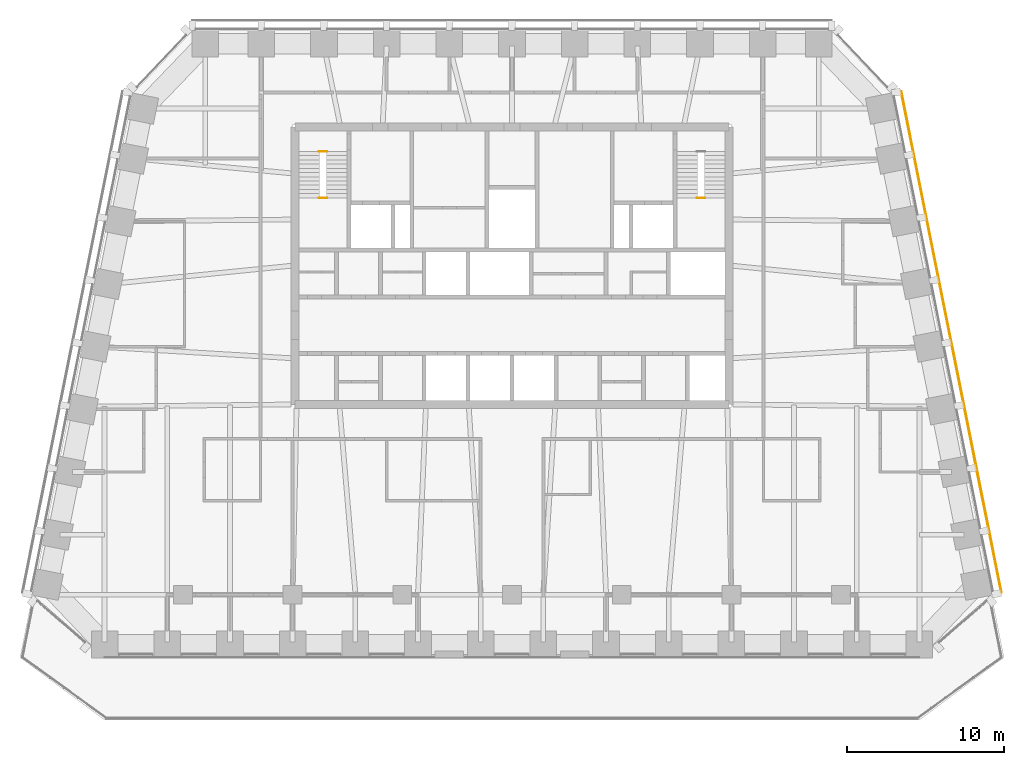
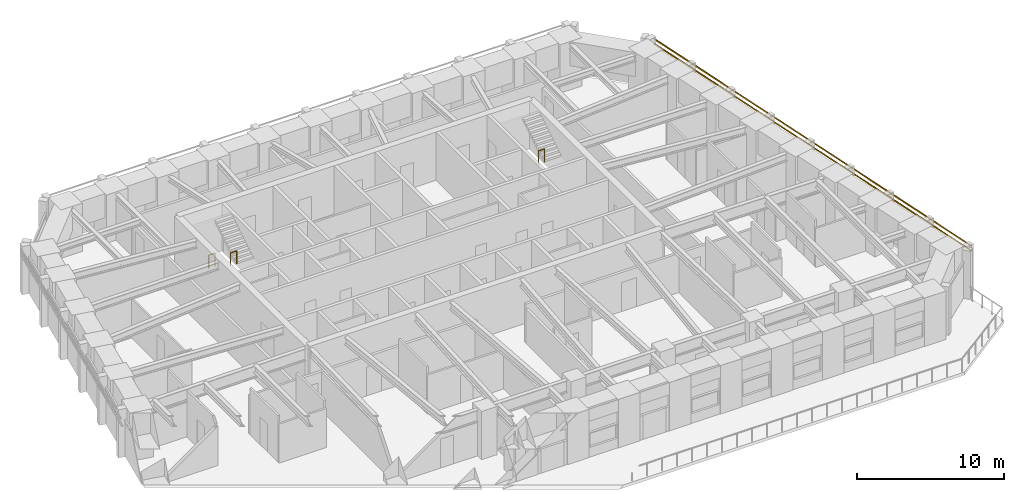
# One storey, part 10 of 11: 3 railings, 2 shading devices.
"""IFC4 building model written with IfcOpenShell, lengths in metres."""

from ifc_helpers import new_model, si_unit, direction, frame, origin, origin_2d, place, context, subcontext, project, spatial, rectangle, circle, extrude, material, material_profile, profile_set, type_object, element, save


model = new_model("IFC4")

# Units and contexts
model_context = context("Model", 3, precision=1e-05, world=origin(), true_north=direction((0.0, 1.0)))
body_context = subcontext(model_context, "Body", "Model", "MODEL_VIEW")
ifc_project = project(units=[si_unit("LENGTHUNIT", "METRE"), si_unit("AREAUNIT", "SQUARE_METRE"), si_unit("VOLUMEUNIT", "CUBIC_METRE"), si_unit("PLANEANGLEUNIT", "RADIAN"), si_unit("MASSUNIT", "GRAM", prefix="KILO")], contexts=[model_context])

# Site, building, storey
site_placement = place(None, origin())
site = spatial("IfcSite", under=ifc_project, at=site_placement, CompositionType="ELEMENT")
building_placement = place(site_placement, origin())
building = spatial("IfcBuilding", under=site, at=building_placement, Name="Isbrekke Arena Tower", CompositionType="ELEMENT")
storey_placement = place(building_placement, frame((0.0, 0.0, 272.0)))
storey = spatial("IfcBuildingStorey", under=building, at=storey_placement, Name="L63", CompositionType="ELEMENT", Elevation=272.0)

# Shading devices
ifc_material_1 = material(Name="Terracotta", Category="masonry")
ifc_material_profile = material_profile(ifc_material_1, rectangle(XDim=0.06005859375, YDim=0.06005859375, at=origin_2d()), Name="BAGUETTE 60X60")
ifc_profile_set = profile_set([ifc_material_profile], Name="Terracotta")
shading_device_type = type_object("IfcShadingDeviceType", Name="BG1 TERRACOTTA BAGUETTE 60 x 60", PredefinedType="USERDEFINED", material=ifc_profile_set)
for number, where, z_axis, x_axis, name in (
    (1, (31.2421875, -5.87158203125, 3.280029296875), (-0.196113257737, 0.980581251167, 0.0), (-0.980581251167, -0.196113257737, 0.0), "BG1 terracotta baguette E1 L63"),
    (2, (31.2421875, -5.87158203125, 3.679931640625), (-0.196113257737, 0.980581251167, 0.0), (-0.980581251167, -0.196113257737, 0.0), "BG1 terracotta baguette E2 L63"),
):
    element("IfcShadingDevice", number, at=place(storey_placement, frame(where, z_axis=z_axis, x_axis=x_axis)), inside=storey, type_object=shading_device_type, Name=name, ObjectType="TERRACOTTA BAGUETTE", PredefinedType="USERDEFINED", context=body_context, shape_type="SweptSolid", body=[
        extrude(rectangle(XDim=0.06005859375, YDim=0.06005859375, at=origin_2d()), origin(), (0.0, 0.0, 1.0), 32.6337890625),
    ])

# Railings
ifc_material_2 = material(Name="Steel stair guard, vertical bars, steel handrail", Category="steel")
railing_type = type_object("IfcRailingType", Name="GR3 STAIR WELL GUARD 1100", PredefinedType="GUARDRAIL", material=ifc_material_2)
for number, where, name in (
    (3, (-12.300048828125, 22.300048828125, 0.0), "GR3 stair well guard ST1 L63"),
    (4, (-12.300048828125, 19.330078125, 2.0), "GR3 stair well guard ST1 L63"),
    (5, (11.824951171875, 19.330078125, 2.0), "GR3 stair well guard ST2 L63"),
):
    element("IfcRailing", number, at=place(storey_placement, frame(where)), inside=storey, type_object=railing_type, Name=name, PredefinedType="GUARDRAIL", context=body_context, shape_type="SweptSolid", body=[
        extrude(circle(Radius=0.02392578125, at=origin_2d()), frame((0.0, 0.0, 1.076171875), z_axis=(1.0, 0.0, 0.0), x_axis=(0.0, 1.0, 0.0)), (0.0, 0.0, 1.0), 0.47509765625),
        extrude(circle(Radius=0.02099609375, at=origin_2d()), origin(), (0.0, 0.0, 1.0), 1.052001953125),
        extrude(circle(Radius=0.02099609375, at=origin_2d()), frame((0.47509765625, 0.0, 0.0)), (0.0, 0.0, 1.0), 1.052001953125),
    ])

save(model, "model.ifc")
